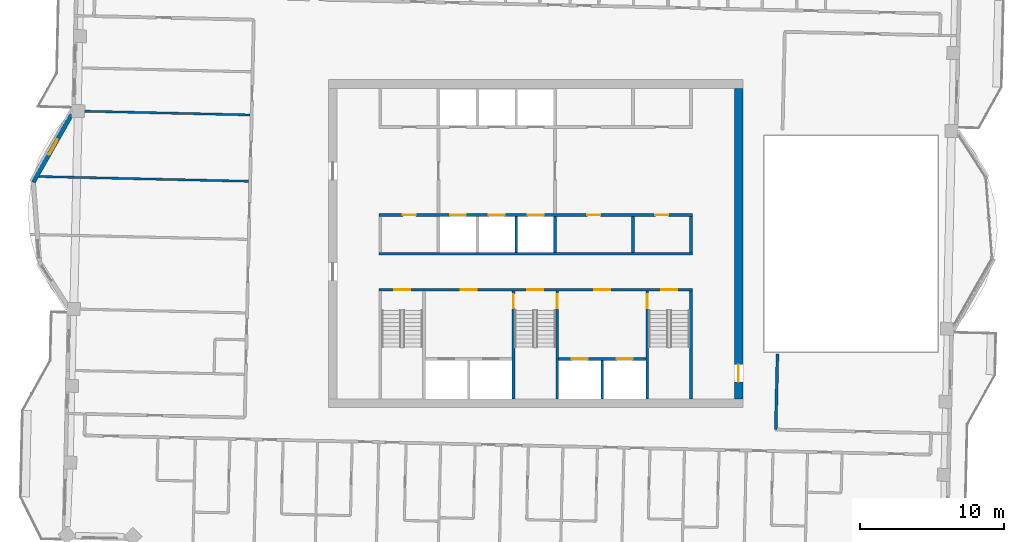
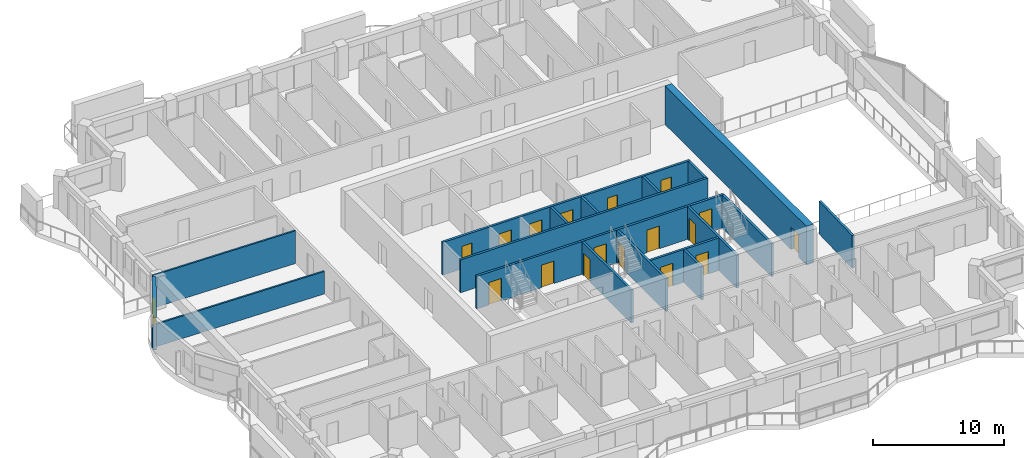
# One storey, part 7 of 15: 18 walls, 17 doors, 1 window, 18 openings.
"""IFC4 building model written with IfcOpenShell, lengths in metres."""

from ifc_helpers import new_model, si_unit, direction, frame, frame_2d, origin, place, context, subcontext, project, spatial, rectangle, extrude, material, layer, layer_set, type_object, element, fill, save


model = new_model("IFC4")

# Units and contexts
model_context = context("Model", 3, precision=1e-05, world=origin(), true_north=direction((0.0, 1.0)))
body_context = subcontext(model_context, "Body", "Model", "MODEL_VIEW")
ifc_project = project(units=[si_unit("LENGTHUNIT", "METRE"), si_unit("AREAUNIT", "SQUARE_METRE"), si_unit("VOLUMEUNIT", "CUBIC_METRE"), si_unit("PLANEANGLEUNIT", "RADIAN"), si_unit("MASSUNIT", "GRAM", prefix="KILO")], contexts=[model_context])

# Site, building, storey
site_placement = place(None, origin())
site = spatial("IfcSite", under=ifc_project, at=site_placement, CompositionType="ELEMENT")
building_placement = place(site_placement, origin())
building = spatial("IfcBuilding", under=site, at=building_placement, Name="Mangrove Gate Tower", CompositionType="ELEMENT")
storey_placement = place(building_placement, frame((0.0, 0.0, 306.10009765625)))
storey = spatial("IfcBuildingStorey", under=building, at=storey_placement, Name="L78", CompositionType="ELEMENT", Elevation=306.10009765625)

# Walls
ifc_material_1 = material(Name="Concrete C32/40", Category="concrete")
ifc_layer_1 = layer(ifc_material_1, 0.199951171875)
ifc_layer_set_1 = layer_set([ifc_layer_1], Name="Core room wall 200 C32/40")
wall_type_1 = type_object("IfcWallType", Name="Core room wall 200 C32/40", PredefinedType="STANDARD", material=ifc_layer_set_1)
for number, where, z_axis, x_axis, name in (
    (1, (6.75, -0.60009765625, 0.0), (0.0, 0.0, 1.0), (0.0, 1.0, 0.0), "WALL-L78-CORE-24"),
    (2, (10.800048828125, -0.60009765625, 0.0), (0.0, 0.0, 1.0), (0.0, 1.0, 0.0), "WALL-L78-CORE-25"),
):
    element("IfcWall", number, at=place(storey_placement, frame(where, z_axis=z_axis, x_axis=x_axis)), inside=storey, type_object=wall_type_1, Name=name, PredefinedType="STANDARD", context=body_context, shape_type="SweptSolid", body=[
        extrude(rectangle(XDim=2.5, YDim=0.199951171875, at=frame_2d((1.25, 0.0))), origin(), (0.0, 0.0, 1.0), 3.0498046875),
    ])
ifc_material_2 = material(Name="Concrete C50/60", Category="concrete")
ifc_layer_2 = layer(ifc_material_2, 0.199951171875)
ifc_layer_set_2 = layer_set([ifc_layer_2], Name="Core shaft wall 200 C50/60")
wall_type_2 = type_object("IfcWallType", Name="Core shaft wall 200 C50/60", PredefinedType="SHEAR", material=ifc_layer_set_2)
wall_1_placement = place(storey_placement, frame((-10.89990234375, -0.699951171875, 0.0), z_axis=(0.0, 0.0, 1.0), x_axis=(1.0, 0.0, 0.0)))
element("IfcWall", 3, at=wall_1_placement, inside=storey, type_object=wall_type_2, Name="WALL-L78-CORE-6", PredefinedType="SHEAR", context=body_context, shape_type="SweptSolid", body=[
    extrude(rectangle(XDim=21.7998046875, YDim=0.199951171875, at=frame_2d((10.89990234375, 0.0))), origin(), (0.0, 0.0, 1.0), 3.0498046875),
])

# Wall, openings, doors
wall_2_placement = place(storey_placement, frame((-10.89990234375, 2.0, 0.0), z_axis=(0.0, 0.0, 1.0), x_axis=(1.0, 0.0, 0.0)))
wall_2 = element("IfcWall", 4, at=wall_2_placement, inside=storey, type_object=wall_type_2, Name="WALL-L78-CORE-7", PredefinedType="SHEAR", context=body_context, shape_type="SweptSolid", body=[
    extrude(rectangle(XDim=21.7998046875, YDim=0.199951171875, at=frame_2d((10.89990234375, 0.0))), origin(), (0.0, 0.0, 1.0), 3.0498046875),
])
opening_1_placement = place(wall_2_placement, frame((4.949951171875, 0.0, 0.0)))
opening_1 = element("IfcOpeningElement", 5, at=opening_1_placement, cuts=wall_2, Name="Opening LD", PredefinedType="OPENING", context=body_context, shape_type="SweptSolid", body=[
    extrude(rectangle(XDim=1.10009765625, YDim=2.10009765625, at=frame_2d((0.550048828125, 1.050048828125))), frame((0.0, 0.10986328125, 0.0), z_axis=(0.0, -1.0, 0.0), x_axis=(1.0, 0.0, 0.0)), (0.0, 0.0, 1.0), 0.219970703125),
])
opening_2_placement = place(wall_2_placement, frame((7.64990234375, 0.0, 0.0)))
opening_2 = element("IfcOpeningElement", 6, at=opening_2_placement, cuts=wall_2, Name="Opening LD", PredefinedType="OPENING", context=body_context, shape_type="SweptSolid", body=[
    extrude(rectangle(XDim=1.10009765625, YDim=2.10009765625, at=frame_2d((0.550048828125, 1.050048828125))), frame((0.0, 0.10986328125, 0.0), z_axis=(0.0, -1.0, 0.0), x_axis=(1.0, 0.0, 0.0)), (0.0, 0.0, 1.0), 0.219970703125),
])
opening_3_placement = place(wall_2_placement, frame((10.35009765625, 0.0, 0.0)))
opening_3 = element("IfcOpeningElement", 7, at=opening_3_placement, cuts=wall_2, Name="Opening LD", PredefinedType="OPENING", context=body_context, shape_type="SweptSolid", body=[
    extrude(rectangle(XDim=1.10009765625, YDim=2.10009765625, at=frame_2d((0.550048828125, 1.050048828125))), frame((0.0, 0.10986328125, 0.0), z_axis=(0.0, -1.0, 0.0), x_axis=(1.0, 0.0, 0.0)), (0.0, 0.0, 1.0), 0.219970703125),
])
opening_4_placement = place(wall_2_placement, frame((1.675048828125, 0.0, 0.0)))
opening_4 = element("IfcOpeningElement", 8, at=opening_4_placement, cuts=wall_2, Name="Opening KD", PredefinedType="OPENING", context=body_context, shape_type="SweptSolid", body=[
    extrude(rectangle(XDim=0.89990234375, YDim=2.10009765625, at=frame_2d((0.449951171875, 1.050048828125))), frame((0.0, 0.10986328125, 0.0), z_axis=(0.0, -1.0, 0.0), x_axis=(1.0, 0.0, 0.0)), (0.0, 0.0, 1.0), 0.219970703125),
])
opening_5_placement = place(wall_2_placement, frame((14.5, 0.0, 0.0)))
opening_5 = element("IfcOpeningElement", 9, at=opening_5_placement, cuts=wall_2, Name="Opening KD", PredefinedType="OPENING", context=body_context, shape_type="SweptSolid", body=[
    extrude(rectangle(XDim=0.89990234375, YDim=2.10009765625, at=frame_2d((0.449951171875, 1.050048828125))), frame((0.0, 0.10986328125, 0.0), z_axis=(0.0, -1.0, 0.0), x_axis=(1.0, 0.0, 0.0)), (0.0, 0.0, 1.0), 0.219970703125),
])
opening_6_placement = place(wall_2_placement, frame((19.22509765625, 0.0, 0.0)))
opening_6 = element("IfcOpeningElement", 10, at=opening_6_placement, cuts=wall_2, Name="Opening RD", PredefinedType="OPENING", context=body_context, shape_type="SweptSolid", body=[
    extrude(rectangle(XDim=0.89990234375, YDim=2.10009765625, at=frame_2d((0.449951171875, 1.050048828125))), frame((0.0, 0.10986328125, 0.0), z_axis=(0.0, -1.0, 0.0), x_axis=(1.0, 0.0, 0.0)), (0.0, 0.0, 1.0), 0.219970703125),
])
ifc_material_3 = material(Name="Fire-rated steel door set", Category="steel")
door_type_1 = type_object("IfcDoorType", Name="Core room door FD30S 900x2100", OperationType="SINGLE_SWING_RIGHT", PredefinedType="DOOR", material=ifc_material_3)
door_1_placement = place(opening_4_placement, origin())
door_1 = element("IfcDoor", 11, at=door_1_placement, inside=storey, type_object=door_type_1, Name="Core room door Cleaner's store", OperationType="SINGLE_SWING_RIGHT", OverallHeight=2.10009765625, OverallWidth=0.89990234375, PredefinedType="DOOR", context=body_context, shape_type="SweptSolid", body=[
    extrude(rectangle(XDim=0.89990234375, YDim=2.10009765625, at=frame_2d((0.449951171875, 1.050048828125))), frame((0.0, 0.02490234375, 0.0), z_axis=(0.0, -1.0, 0.0), x_axis=(1.0, 0.0, 0.0)), (0.0, 0.0, 1.0), 0.050048828125),
])
fill(opening_4, door_1)
door_2_placement = place(opening_5_placement, origin())
door_2 = element("IfcDoor", 12, at=door_2_placement, inside=storey, type_object=door_type_1, Name="Core room door Refuse store", OperationType="SINGLE_SWING_RIGHT", OverallHeight=2.10009765625, OverallWidth=0.89990234375, PredefinedType="DOOR", context=body_context, shape_type="SweptSolid", body=[
    extrude(rectangle(XDim=0.89990234375, YDim=2.10009765625, at=frame_2d((0.449951171875, 1.050048828125))), frame((0.0, 0.02490234375, 0.0), z_axis=(0.0, -1.0, 0.0), x_axis=(1.0, 0.0, 0.0)), (0.0, 0.0, 1.0), 0.050048828125),
])
fill(opening_5, door_2)
ifc_material_4 = material(Name="Stainless steel 316", Category="steel")
door_type_2 = type_object("IfcDoorType", Name="Lift landing door 1100x2100", OperationType="SLIDING_TO_LEFT", PredefinedType="DOOR", material=ifc_material_4)
door_3_placement = place(opening_1_placement, origin())
door_3 = element("IfcDoor", 13, at=door_3_placement, inside=storey, type_object=door_type_2, Name="Landing door LD H01", OperationType="SLIDING_TO_LEFT", OverallHeight=2.10009765625, OverallWidth=1.10009765625, PredefinedType="DOOR", context=body_context, shape_type="SweptSolid", body=[
    extrude(rectangle(XDim=1.10009765625, YDim=2.10009765625, at=frame_2d((0.550048828125, 1.050048828125))), frame((0.0, 0.02490234375, 0.0), z_axis=(0.0, -1.0, 0.0), x_axis=(1.0, 0.0, 0.0)), (0.0, 0.0, 1.0), 0.050048828125),
])
fill(opening_1, door_3)
door_4_placement = place(opening_2_placement, origin())
door_4 = element("IfcDoor", 14, at=door_4_placement, inside=storey, type_object=door_type_2, Name="Landing door LD H02", OperationType="SLIDING_TO_LEFT", OverallHeight=2.10009765625, OverallWidth=1.10009765625, PredefinedType="DOOR", context=body_context, shape_type="SweptSolid", body=[
    extrude(rectangle(XDim=1.10009765625, YDim=2.10009765625, at=frame_2d((0.550048828125, 1.050048828125))), frame((0.0, 0.02490234375, 0.0), z_axis=(0.0, -1.0, 0.0), x_axis=(1.0, 0.0, 0.0)), (0.0, 0.0, 1.0), 0.050048828125),
])
fill(opening_2, door_4)
door_5_placement = place(opening_3_placement, origin())
door_5 = element("IfcDoor", 15, at=door_5_placement, inside=storey, type_object=door_type_2, Name="Landing door LD H03", OperationType="SLIDING_TO_LEFT", OverallHeight=2.10009765625, OverallWidth=1.10009765625, PredefinedType="DOOR", context=body_context, shape_type="SweptSolid", body=[
    extrude(rectangle(XDim=1.10009765625, YDim=2.10009765625, at=frame_2d((0.550048828125, 1.050048828125))), frame((0.0, 0.02490234375, 0.0), z_axis=(0.0, -1.0, 0.0), x_axis=(1.0, 0.0, 0.0)), (0.0, 0.0, 1.0), 0.050048828125),
])
fill(opening_3, door_5)
ifc_material_5 = material(Name="Fire-rated steel door set", Category="steel")
door_type_3 = type_object("IfcDoorType", Name="Riser door FD30S 900x2100", OperationType="SINGLE_SWING_LEFT", PredefinedType="DOOR", material=ifc_material_5)
door_6_placement = place(opening_6_placement, origin())
door_6 = element("IfcDoor", 16, at=door_6_placement, inside=storey, type_object=door_type_3, Name="Riser door Electrical room", OperationType="SINGLE_SWING_LEFT", OverallHeight=2.10009765625, OverallWidth=0.89990234375, PredefinedType="DOOR", context=body_context, shape_type="SweptSolid", body=[
    extrude(rectangle(XDim=0.89990234375, YDim=2.10009765625, at=frame_2d((0.449951171875, 1.050048828125))), frame((0.0, 0.02490234375, 0.0), z_axis=(0.0, -1.0, 0.0), x_axis=(1.0, 0.0, 0.0)), (0.0, 0.0, 1.0), 0.050048828125),
])
fill(opening_6, door_6)

wall_3_placement = place(storey_placement, frame((1.60009765625, -8.0, 0.0), z_axis=(0.0, 0.0, 1.0), x_axis=(1.0, 0.0, 0.0)))
wall_3 = element("IfcWall", 17, at=wall_3_placement, inside=storey, type_object=wall_type_2, Name="WALL-L78-CORE-17", PredefinedType="SHEAR", context=body_context, shape_type="SweptSolid", body=[
    extrude(rectangle(XDim=6.0498046875, YDim=0.199951171875, at=frame_2d((3.02490234375, 0.0))), origin(), (0.0, 0.0, 1.0), 3.0498046875),
])
opening_7_placement = place(wall_3_placement, frame((0.91259765625, 0.0, 0.0)))
opening_7 = element("IfcOpeningElement", 18, at=opening_7_placement, cuts=wall_3, Name="Opening LD", PredefinedType="OPENING", context=body_context, shape_type="SweptSolid", body=[
    extrude(rectangle(XDim=1.10009765625, YDim=2.10009765625, at=frame_2d((0.550048828125, 1.050048828125))), frame((0.0, 0.10986328125, 0.0), z_axis=(0.0, -1.0, 0.0), x_axis=(1.0, 0.0, 0.0)), (0.0, 0.0, 1.0), 0.219970703125),
])
opening_8_placement = place(wall_3_placement, frame((4.03759765625, 0.0, 0.0)))
opening_8 = element("IfcOpeningElement", 19, at=opening_8_placement, cuts=wall_3, Name="Opening LD", PredefinedType="OPENING", context=body_context, shape_type="SweptSolid", body=[
    extrude(rectangle(XDim=1.10009765625, YDim=2.10009765625, at=frame_2d((0.550048828125, 1.050048828125))), frame((0.0, 0.10986328125, 0.0), z_axis=(0.0, -1.0, 0.0), x_axis=(1.0, 0.0, 0.0)), (0.0, 0.0, 1.0), 0.219970703125),
])
door_7_placement = place(opening_7_placement, origin())
door_7 = element("IfcDoor", 20, at=door_7_placement, inside=storey, type_object=door_type_2, Name="Landing door LD FFL1", OperationType="SLIDING_TO_LEFT", OverallHeight=2.10009765625, OverallWidth=1.10009765625, PredefinedType="DOOR", context=body_context, shape_type="SweptSolid", body=[
    extrude(rectangle(XDim=1.10009765625, YDim=2.10009765625, at=frame_2d((0.550048828125, 1.050048828125))), frame((0.0, 0.02490234375, 0.0), z_axis=(0.0, -1.0, 0.0), x_axis=(1.0, 0.0, 0.0)), (0.0, 0.0, 1.0), 0.050048828125),
])
fill(opening_7, door_7)
door_8_placement = place(opening_8_placement, origin())
door_8 = element("IfcDoor", 21, at=door_8_placement, inside=storey, type_object=door_type_2, Name="Landing door LD FFL2", OperationType="SLIDING_TO_LEFT", OverallHeight=2.10009765625, OverallWidth=1.10009765625, PredefinedType="DOOR", context=body_context, shape_type="SweptSolid", body=[
    extrude(rectangle(XDim=1.10009765625, YDim=2.10009765625, at=frame_2d((0.550048828125, 1.050048828125))), frame((0.0, 0.02490234375, 0.0), z_axis=(0.0, -1.0, 0.0), x_axis=(1.0, 0.0, 0.0)), (0.0, 0.0, 1.0), 0.050048828125),
])
fill(opening_8, door_8)

# Walls
wall_4_placement = place(storey_placement, frame((4.625, -10.800048828125, 0.0), z_axis=(0.0, 0.0, 1.0), x_axis=(0.0, 1.0, 0.0)))
element("IfcWall", 22, at=wall_4_placement, inside=storey, type_object=wall_type_2, Name="WALL-L78-CORE-18", PredefinedType="SHEAR", context=body_context, shape_type="SweptSolid", body=[
    extrude(rectangle(XDim=2.699951171875, YDim=0.199951171875, at=frame_2d((1.35009765625, 0.0))), origin(), (0.0, 0.0, 1.0), 3.0498046875),
])
for number, where, z_axis, x_axis, name in (
    (23, (-1.35009765625, -0.60009765625, 0.0), (0.0, 0.0, 1.0), (0.0, 1.0, 0.0), "WALL-L78-CORE-22"),
    (24, (1.35009765625, -0.60009765625, 0.0), (0.0, 0.0, 1.0), (0.0, 1.0, 0.0), "WALL-L78-CORE-23"),
):
    element("IfcWall", number, at=place(storey_placement, frame(where, z_axis=z_axis, x_axis=x_axis)), inside=storey, type_object=wall_type_2, Name=name, PredefinedType="SHEAR", context=body_context, shape_type="SweptSolid", body=[
        extrude(rectangle(XDim=2.5, YDim=0.199951171875, at=frame_2d((1.25, 0.0))), origin(), (0.0, 0.0, 1.0), 3.0498046875),
    ])

# Wall, openings, doors
ifc_material_6 = material(Name="Concrete C50/60", Category="concrete")
ifc_layer_3 = layer(ifc_material_6, 0.199951171875)
ifc_layer_set_3 = layer_set([ifc_layer_3], Name="Core stair wall 200 C50/60")
wall_type_3 = type_object("IfcWallType", Name="Core stair wall 200 C50/60", PredefinedType="SHEAR", material=ifc_layer_set_3)
wall_5_placement = place(storey_placement, frame((-10.89990234375, -3.199951171875, 0.0), z_axis=(0.0, 0.0, 1.0), x_axis=(1.0, 0.0, 0.0)))
wall_5 = element("IfcWall", 25, at=wall_5_placement, inside=storey, type_object=wall_type_3, Name="WALL-L78-CORE-5", PredefinedType="SHEAR", context=body_context, shape_type="SweptSolid", body=[
    extrude(rectangle(XDim=21.7998046875, YDim=0.199951171875, at=frame_2d((10.89990234375, 0.0))), origin(), (0.0, 0.0, 1.0), 3.0498046875),
])
opening_9_placement = place(wall_5_placement, frame((1.074951171875, 0.0, 0.0)))
opening_9 = element("IfcOpeningElement", 26, at=opening_9_placement, cuts=wall_5, Name="Opening STD11", PredefinedType="OPENING", context=body_context, shape_type="SweptSolid", body=[
    extrude(rectangle(XDim=1.10009765625, YDim=2.10009765625, at=frame_2d((0.550048828125, 1.050048828125))), frame((0.0, 0.10986328125, 0.0), z_axis=(0.0, -1.0, 0.0), x_axis=(1.0, 0.0, 0.0)), (0.0, 0.0, 1.0), 0.219970703125),
])
opening_10_placement = place(wall_5_placement, frame((10.324951171875, 0.0, 0.0)))
opening_10 = element("IfcOpeningElement", 27, at=opening_10_placement, cuts=wall_5, Name="Opening STD11", PredefinedType="OPENING", context=body_context, shape_type="SweptSolid", body=[
    extrude(rectangle(XDim=1.10009765625, YDim=2.10009765625, at=frame_2d((0.550048828125, 1.050048828125))), frame((0.0, 0.10986328125, 0.0), z_axis=(0.0, -1.0, 0.0), x_axis=(1.0, 0.0, 0.0)), (0.0, 0.0, 1.0), 0.219970703125),
])
opening_11_placement = place(wall_5_placement, frame((19.625, 0.0, 0.0)))
opening_11 = element("IfcOpeningElement", 28, at=opening_11_placement, cuts=wall_5, Name="Opening STD11", PredefinedType="OPENING", context=body_context, shape_type="SweptSolid", body=[
    extrude(rectangle(XDim=1.10009765625, YDim=2.10009765625, at=frame_2d((0.550048828125, 1.050048828125))), frame((0.0, 0.10986328125, 0.0), z_axis=(0.0, -1.0, 0.0), x_axis=(1.0, 0.0, 0.0)), (0.0, 0.0, 1.0), 0.219970703125),
])
opening_12_placement = place(wall_5_placement, frame((5.699951171875, 0.0, 0.0)))
opening_12 = element("IfcOpeningElement", 29, at=opening_12_placement, cuts=wall_5, Name="Opening FL", PredefinedType="OPENING", context=body_context, shape_type="SweptSolid", body=[
    extrude(rectangle(XDim=1.10009765625, YDim=2.10009765625, at=frame_2d((0.550048828125, 1.050048828125))), frame((0.0, 0.10986328125, 0.0), z_axis=(0.0, -1.0, 0.0), x_axis=(1.0, 0.0, 0.0)), (0.0, 0.0, 1.0), 0.219970703125),
])
opening_13_placement = place(wall_5_placement, frame((14.97509765625, 0.0, 0.0)))
opening_13 = element("IfcOpeningElement", 30, at=opening_13_placement, cuts=wall_5, Name="Opening FL", PredefinedType="OPENING", context=body_context, shape_type="SweptSolid", body=[
    extrude(rectangle(XDim=1.10009765625, YDim=2.10009765625, at=frame_2d((0.550048828125, 1.050048828125))), frame((0.0, 0.10986328125, 0.0), z_axis=(0.0, -1.0, 0.0), x_axis=(1.0, 0.0, 0.0)), (0.0, 0.0, 1.0), 0.219970703125),
])
ifc_material_7 = material(Name="Fire-rated steel door set", Category="steel")
door_type_4 = type_object("IfcDoorType", Name="Lobby door FD60 1100x2100", OperationType="SINGLE_SWING_LEFT", PredefinedType="DOOR", material=ifc_material_7)
door_9_placement = place(opening_12_placement, origin())
door_9 = element("IfcDoor", 31, at=door_9_placement, inside=storey, type_object=door_type_4, Name="Lobby door service lobby", OperationType="SINGLE_SWING_LEFT", OverallHeight=2.10009765625, OverallWidth=1.10009765625, PredefinedType="DOOR", context=body_context, shape_type="SweptSolid", body=[
    extrude(rectangle(XDim=1.10009765625, YDim=2.10009765625, at=frame_2d((0.550048828125, 1.050048828125))), frame((0.0, 0.02490234375, 0.0), z_axis=(0.0, -1.0, 0.0), x_axis=(1.0, 0.0, 0.0)), (0.0, 0.0, 1.0), 0.050048828125),
])
fill(opening_12, door_9)
door_10_placement = place(opening_13_placement, origin())
door_10 = element("IfcDoor", 32, at=door_10_placement, inside=storey, type_object=door_type_4, Name="Lobby door fire-fighting lobby", OperationType="SINGLE_SWING_LEFT", OverallHeight=2.10009765625, OverallWidth=1.10009765625, PredefinedType="DOOR", context=body_context, shape_type="SweptSolid", body=[
    extrude(rectangle(XDim=1.10009765625, YDim=2.10009765625, at=frame_2d((0.550048828125, 1.050048828125))), frame((0.0, 0.02490234375, 0.0), z_axis=(0.0, -1.0, 0.0), x_axis=(1.0, 0.0, 0.0)), (0.0, 0.0, 1.0), 0.050048828125),
])
fill(opening_13, door_10)
ifc_material_8 = material(Name="Fire-rated steel door set", Category="steel")
door_type_5 = type_object("IfcDoorType", Name="Stair door FD60 1100x2100", OperationType="SINGLE_SWING_RIGHT", PredefinedType="DOOR", material=ifc_material_8)
door_11_placement = place(opening_9_placement, origin())
door_11 = element("IfcDoor", 33, at=door_11_placement, inside=storey, type_object=door_type_5, Name="Stair door Stair 1", OperationType="SINGLE_SWING_RIGHT", OverallHeight=2.10009765625, OverallWidth=1.10009765625, PredefinedType="DOOR", context=body_context, shape_type="SweptSolid", body=[
    extrude(rectangle(XDim=1.10009765625, YDim=2.10009765625, at=frame_2d((0.550048828125, 1.050048828125))), frame((0.0, 0.02490234375, 0.0), z_axis=(0.0, -1.0, 0.0), x_axis=(1.0, 0.0, 0.0)), (0.0, 0.0, 1.0), 0.050048828125),
])
fill(opening_9, door_11)
door_12_placement = place(opening_10_placement, origin())
door_12 = element("IfcDoor", 34, at=door_12_placement, inside=storey, type_object=door_type_5, Name="Stair door Stair 2", OperationType="SINGLE_SWING_RIGHT", OverallHeight=2.10009765625, OverallWidth=1.10009765625, PredefinedType="DOOR", context=body_context, shape_type="SweptSolid", body=[
    extrude(rectangle(XDim=1.10009765625, YDim=2.10009765625, at=frame_2d((0.550048828125, 1.050048828125))), frame((0.0, 0.02490234375, 0.0), z_axis=(0.0, -1.0, 0.0), x_axis=(1.0, 0.0, 0.0)), (0.0, 0.0, 1.0), 0.050048828125),
])
fill(opening_10, door_12)
door_13_placement = place(opening_11_placement, origin())
door_13 = element("IfcDoor", 35, at=door_13_placement, inside=storey, type_object=door_type_5, Name="Stair door Stair 3", OperationType="SINGLE_SWING_RIGHT", OverallHeight=2.10009765625, OverallWidth=1.10009765625, PredefinedType="DOOR", context=body_context, shape_type="SweptSolid", body=[
    extrude(rectangle(XDim=1.10009765625, YDim=2.10009765625, at=frame_2d((0.550048828125, 1.050048828125))), frame((0.0, 0.02490234375, 0.0), z_axis=(0.0, -1.0, 0.0), x_axis=(1.0, 0.0, 0.0)), (0.0, 0.0, 1.0), 0.050048828125),
])
fill(opening_11, door_13)

# Wall, opening, door
wall_6_placement = place(storey_placement, frame((-1.550048828125, -10.800048828125, 0.0), z_axis=(0.0, 0.0, 1.0), x_axis=(0.0, 1.0, 0.0)))
wall_6 = element("IfcWall", 36, at=wall_6_placement, inside=storey, type_object=wall_type_3, Name="WALL-L78-CORE-11", PredefinedType="SHEAR", context=body_context, shape_type="SweptSolid", body=[
    extrude(rectangle(XDim=7.5, YDim=0.199951171875, at=frame_2d((3.75, 0.0))), origin(), (0.0, 0.0, 1.0), 3.0498046875),
])
opening_14_placement = place(wall_6_placement, frame((6.300048828125, 0.0, 0.0)))
opening_14 = element("IfcOpeningElement", 37, at=opening_14_placement, cuts=wall_6, Name="Opening STD10", PredefinedType="OPENING", context=body_context, shape_type="SweptSolid", body=[
    extrude(rectangle(XDim=1.0, YDim=2.10009765625, at=frame_2d((0.5, 1.050048828125))), frame((0.0, 0.10986328125, 0.0), z_axis=(0.0, -1.0, 0.0), x_axis=(1.0, 0.0, 0.0)), (0.0, 0.0, 1.0), 0.219970703125),
])
ifc_material_9 = material(Name="Fire-rated steel door set", Category="steel")
door_type_6 = type_object("IfcDoorType", Name="Stair door FD60 1000x2100", OperationType="SINGLE_SWING_RIGHT", PredefinedType="DOOR", material=ifc_material_9)
door_14_placement = place(opening_14_placement, origin())
door_14 = element("IfcDoor", 38, at=door_14_placement, inside=storey, type_object=door_type_6, Name="Stair door Stair 2 from service lobby", OperationType="SINGLE_SWING_RIGHT", OverallHeight=2.10009765625, OverallWidth=1.0, PredefinedType="DOOR", context=body_context, shape_type="SweptSolid", body=[
    extrude(rectangle(XDim=1.0, YDim=2.10009765625, at=frame_2d((0.5, 1.050048828125))), frame((0.0, 0.02490234375, 0.0), z_axis=(0.0, -1.0, 0.0), x_axis=(1.0, 0.0, 0.0)), (0.0, 0.0, 1.0), 0.050048828125),
])
fill(opening_14, door_14)

wall_7_placement = place(storey_placement, frame((1.5, -10.800048828125, 0.0), z_axis=(0.0, 0.0, 1.0), x_axis=(0.0, 1.0, 0.0)))
wall_7 = element("IfcWall", 39, at=wall_7_placement, inside=storey, type_object=wall_type_3, Name="WALL-L78-CORE-12", PredefinedType="SHEAR", context=body_context, shape_type="SweptSolid", body=[
    extrude(rectangle(XDim=7.5, YDim=0.199951171875, at=frame_2d((3.75, 0.0))), origin(), (0.0, 0.0, 1.0), 3.0498046875),
])
opening_15_placement = place(wall_7_placement, frame((6.300048828125, 0.0, 0.0)))
opening_15 = element("IfcOpeningElement", 40, at=opening_15_placement, cuts=wall_7, Name="Opening STD10", PredefinedType="OPENING", context=body_context, shape_type="SweptSolid", body=[
    extrude(rectangle(XDim=1.0, YDim=2.10009765625, at=frame_2d((0.5, 1.050048828125))), frame((0.0, 0.10986328125, 0.0), z_axis=(0.0, -1.0, 0.0), x_axis=(1.0, 0.0, 0.0)), (0.0, 0.0, 1.0), 0.219970703125),
])
door_15_placement = place(opening_15_placement, origin())
door_15 = element("IfcDoor", 41, at=door_15_placement, inside=storey, type_object=door_type_6, Name="Stair door Stair 2 from fire-fighting lobby", OperationType="SINGLE_SWING_RIGHT", OverallHeight=2.10009765625, OverallWidth=1.0, PredefinedType="DOOR", context=body_context, shape_type="SweptSolid", body=[
    extrude(rectangle(XDim=1.0, YDim=2.10009765625, at=frame_2d((0.5, 1.050048828125))), frame((0.0, 0.02490234375, 0.0), z_axis=(0.0, -1.0, 0.0), x_axis=(1.0, 0.0, 0.0)), (0.0, 0.0, 1.0), 0.050048828125),
])
fill(opening_15, door_15)

wall_8_placement = place(storey_placement, frame((7.75, -10.800048828125, 0.0), z_axis=(0.0, 0.0, 1.0), x_axis=(0.0, 1.0, 0.0)))
wall_8 = element("IfcWall", 42, at=wall_8_placement, inside=storey, type_object=wall_type_3, Name="WALL-L78-CORE-13", PredefinedType="SHEAR", context=body_context, shape_type="SweptSolid", body=[
    extrude(rectangle(XDim=7.5, YDim=0.199951171875, at=frame_2d((3.75, 0.0))), origin(), (0.0, 0.0, 1.0), 3.0498046875),
])
opening_16_placement = place(wall_8_placement, frame((6.300048828125, 0.0, 0.0)))
opening_16 = element("IfcOpeningElement", 43, at=opening_16_placement, cuts=wall_8, Name="Opening STD10", PredefinedType="OPENING", context=body_context, shape_type="SweptSolid", body=[
    extrude(rectangle(XDim=1.0, YDim=2.10009765625, at=frame_2d((0.5, 1.050048828125))), frame((0.0, 0.10986328125, 0.0), z_axis=(0.0, -1.0, 0.0), x_axis=(1.0, 0.0, 0.0)), (0.0, 0.0, 1.0), 0.219970703125),
])
door_16_placement = place(opening_16_placement, origin())
door_16 = element("IfcDoor", 44, at=door_16_placement, inside=storey, type_object=door_type_6, Name="Stair door Stair 3 from fire-fighting lobby", OperationType="SINGLE_SWING_RIGHT", OverallHeight=2.10009765625, OverallWidth=1.0, PredefinedType="DOOR", context=body_context, shape_type="SweptSolid", body=[
    extrude(rectangle(XDim=1.0, YDim=2.10009765625, at=frame_2d((0.5, 1.050048828125))), frame((0.0, 0.02490234375, 0.0), z_axis=(0.0, -1.0, 0.0), x_axis=(1.0, 0.0, 0.0)), (0.0, 0.0, 1.0), 0.050048828125),
])
fill(opening_16, door_16)

# Wall
wall_9_placement = place(storey_placement, frame((10.800048828125, -10.800048828125, 0.0), z_axis=(0.0, 0.0, 1.0), x_axis=(0.0, 1.0, 0.0)))
element("IfcWall", 45, at=wall_9_placement, inside=storey, type_object=wall_type_3, Name="WALL-L78-CORE-14", PredefinedType="SHEAR", context=body_context, shape_type="SweptSolid", body=[
    extrude(rectangle(XDim=7.5, YDim=0.199951171875, at=frame_2d((3.75, 0.0))), origin(), (0.0, 0.0, 1.0), 3.0498046875),
])

# Wall, opening, door
ifc_material_10 = material(Name="Concrete C50/60", Category="concrete")
ifc_layer_4 = layer(ifc_material_10, 0.60009765625)
ifc_layer_set_4 = layer_set([ifc_layer_4], Name="Core wall 600 C50/60")
wall_type_4 = type_object("IfcWallType", Name="Core wall 600 C50/60", PredefinedType="SHEAR", material=ifc_layer_set_4)
wall_10_placement = place(storey_placement, frame((14.10009765625, -10.800048828125, 0.0), z_axis=(0.0, 0.0, 1.0), x_axis=(0.0, 1.0, 0.0)))
wall_10 = element("IfcWall", 46, at=wall_10_placement, inside=storey, type_object=wall_type_4, Name="WALL-L78-CORE-4", PredefinedType="SHEAR", context=body_context, shape_type="SweptSolid", body=[
    extrude(rectangle(XDim=21.60009765625, YDim=0.60009765625, at=frame_2d((10.800048828125, 0.0))), origin(), (0.0, 0.0, 1.0), 3.599853515625),
])
opening_17_placement = place(wall_10_placement, frame((1.199951171875, 0.0, 0.0)))
opening_17 = element("IfcOpeningElement", 47, at=opening_17_placement, cuts=wall_10, Name="Opening CD", PredefinedType="OPENING", context=body_context, shape_type="SweptSolid", body=[
    extrude(rectangle(XDim=1.199951171875, YDim=2.10009765625, at=frame_2d((0.60009765625, 1.050048828125))), frame((0.0, 0.31005859375, 0.0), z_axis=(0.0, -1.0, 0.0), x_axis=(1.0, 0.0, 0.0)), (0.0, 0.0, 1.0), 0.6201171875),
])
ifc_material_11 = material(Name="Fire-rated steel door set", Category="steel")
door_type_7 = type_object("IfcDoorType", Name="Core ring door FD60 1200x2100", OperationType="DOUBLE_DOOR_SINGLE_SWING", PredefinedType="DOOR", material=ifc_material_11)
door_17_placement = place(opening_17_placement, origin())
door_17 = element("IfcDoor", 48, at=door_17_placement, inside=storey, type_object=door_type_7, Name="Core ring door E1", OperationType="DOUBLE_DOOR_SINGLE_SWING", OverallHeight=2.10009765625, OverallWidth=1.199951171875, PredefinedType="DOOR", context=body_context, shape_type="SweptSolid", body=[
    extrude(rectangle(XDim=1.199951171875, YDim=2.10009765625, at=frame_2d((0.60009765625, 1.050048828125))), frame((0.0, 0.02490234375, 0.0), z_axis=(0.0, -1.0, 0.0), x_axis=(1.0, 0.0, 0.0)), (0.0, 0.0, 1.0), 0.050048828125),
])
fill(opening_17, door_17)

# Wall
ifc_material_12 = material(Name="Gypsum board on steel stud, EI 60", Category="steel")
ifc_layer_5 = layer(ifc_material_12, 0.199951171875)
ifc_layer_set_5 = layer_set([ifc_layer_5], Name="Corridor wall EI 60")
wall_type_5 = type_object("IfcWallType", Name="Corridor wall EI 60", PredefinedType="PARTITIONING", material=ifc_layer_set_5)
wall_11_placement = place(storey_placement, frame((16.68408203125, -12.9189453125, 0.0), z_axis=(0.0, 0.0, 1.0), x_axis=(0.022667483124, 0.999743059595, 0.0)))
element("IfcWall", 49, at=wall_11_placement, inside=storey, type_object=wall_type_5, Name="WALL-L78-041", PredefinedType="PARTITIONING", context=body_context, shape_type="SweptSolid", body=[
    extrude(rectangle(XDim=5.245361328125, YDim=0.199951171875, at=frame_2d((2.62255859375, 0.0))), origin(), (0.0, 0.0, 1.0), 3.0498046875),
])

# Wall, opening, window
ifc_material_13 = material(Name="Limestone", Category="masonry")
ifc_layer_6 = layer(ifc_material_13, 0.0400390625, Name="Limestone cladding")
ifc_material_14 = material(Name="Ventilated air gap")
ifc_layer_7 = layer(ifc_material_14, 0.0400390625, Name="Ventilated cavity")
ifc_material_15 = material(Name="Mineral wool insulation")
ifc_layer_8 = layer(ifc_material_15, 0.06005859375, Name="Insulation")
ifc_material_16 = material(Name="Breather membrane")
ifc_layer_9 = layer(ifc_material_16, 0.001953125, Name="Breather membrane")
ifc_material_17 = material(Name="Concrete C20/25 blockwork", Category="masonry")
ifc_layer_10 = layer(ifc_material_17, 0.14990234375, Name="Blockwork backing wall")
ifc_material_18 = material(Name="Gypsum plaster")
ifc_layer_11 = layer(ifc_material_18, 0.008056640625, Name="Internal plaster")
ifc_layer_set_6 = layer_set([ifc_layer_6, ifc_layer_7, ifc_layer_8, ifc_layer_9, ifc_layer_10, ifc_layer_11], Name="External wall 300 limestone cladding")
wall_type_6 = type_object("IfcWallType", Name="External wall 300 limestone cladding", PredefinedType="SOLIDWALL", material=ifc_layer_set_6)
wall_12_placement = place(storey_placement, frame((-32.251953125, 8.97802734375, 0.0), z_axis=(0.0, 0.0, 1.0), x_axis=(-0.492554919955, -0.870281363025, 0.0)))
wall_12 = element("IfcWall", 50, at=wall_12_placement, inside=storey, type_object=wall_type_6, Name="WALL-L78-W9f1", PredefinedType="SOLIDWALL", context=body_context, shape_type="SweptSolid", body=[
    extrude(rectangle(XDim=5.398193359375, YDim=0.300048828125, at=frame_2d((2.69921875, 0.0))), origin(), (0.0, 0.0, 1.0), 3.0498046875),
])
opening_18_placement = place(wall_12_placement, frame((2.008056640625, 0.0, 0.89990234375)))
opening_18 = element("IfcOpeningElement", 51, at=opening_18_placement, cuts=wall_12, Name="Opening W1", PredefinedType="OPENING", context=body_context, shape_type="SweptSolid", body=[
    extrude(rectangle(XDim=1.199951171875, YDim=1.5, at=frame_2d((0.60009765625, 0.75))), frame((0.0, 0.159912109375, 0.0), z_axis=(0.0, -1.0, 0.0), x_axis=(1.0, 0.0, 0.0)), (0.0, 0.0, 1.0), 0.320068359375),
])
ifc_material_19 = material(Name="Aluminium frame with double-glazed low-e glass", Category="aluminium")
window_type = type_object("IfcWindowType", Name="Side lite 1200x1500", PartitioningType="SINGLE_PANEL", PredefinedType="WINDOW", material=ifc_material_19)
window_placement = place(opening_18_placement, origin())
window = element("IfcWindow", 52, at=window_placement, inside=storey, type_object=window_type, Name="WIN-L78-W9f1", OverallHeight=1.5, OverallWidth=1.199951171875, PartitioningType="SINGLE_PANEL", PredefinedType="WINDOW", context=body_context, shape_type="SweptSolid", body=[
    extrude(rectangle(XDim=1.199951171875, YDim=1.5, at=frame_2d((0.60009765625, 0.75))), frame((0.0, 0.030029296875, 0.0), z_axis=(0.0, -1.0, 0.0), x_axis=(1.0, 0.0, 0.0)), (0.0, 0.0, 1.0), 0.06005859375),
])
fill(opening_18, window)

# Walls
ifc_material_20 = material(Name="Gypsum board on steel stud, EI 60", Category="steel")
ifc_layer_12 = layer(ifc_material_20, 0.14990234375)
ifc_layer_set_7 = layer_set([ifc_layer_12], Name="Party wall 150 EI 60")
wall_type_7 = type_object("IfcWallType", Name="Party wall 150 EI 60", PredefinedType="PARTITIONING", material=ifc_layer_set_7)
wall_13_placement = place(storey_placement, frame((-34.93408203125, 4.677001953125, 0.0), z_axis=(0.0, 0.0, 1.0), x_axis=(0.99974273422, -0.022681829163, 0.0)))
element("IfcWall", 53, at=wall_13_placement, inside=storey, type_object=wall_type_7, Name="WALL-L78-048", PredefinedType="PARTITIONING", context=body_context, shape_type="SweptSolid", body=[
    extrude(rectangle(XDim=14.993896484375, YDim=0.14990234375, at=frame_2d((7.4970703125, 0.0))), origin(), (0.0, 0.0, 1.0), 2.099853515625),
])
wall_14_placement = place(storey_placement, frame((-32.236083984375, 9.22705078125, 0.0), z_axis=(0.0, 0.0, 1.0), x_axis=(0.999743195783, -0.022661475803, 0.0)))
element("IfcWall", 54, at=wall_14_placement, inside=storey, type_object=wall_type_7, Name="WALL-L78-050", PredefinedType="PARTITIONING", context=body_context, shape_type="SweptSolid", body=[
    extrude(rectangle(XDim=12.400146484375, YDim=0.14990234375, at=frame_2d((6.2001953125, 0.0))), origin(), (0.0, 0.0, 1.0), 3.0498046875),
])

save(model, "model.ifc")
